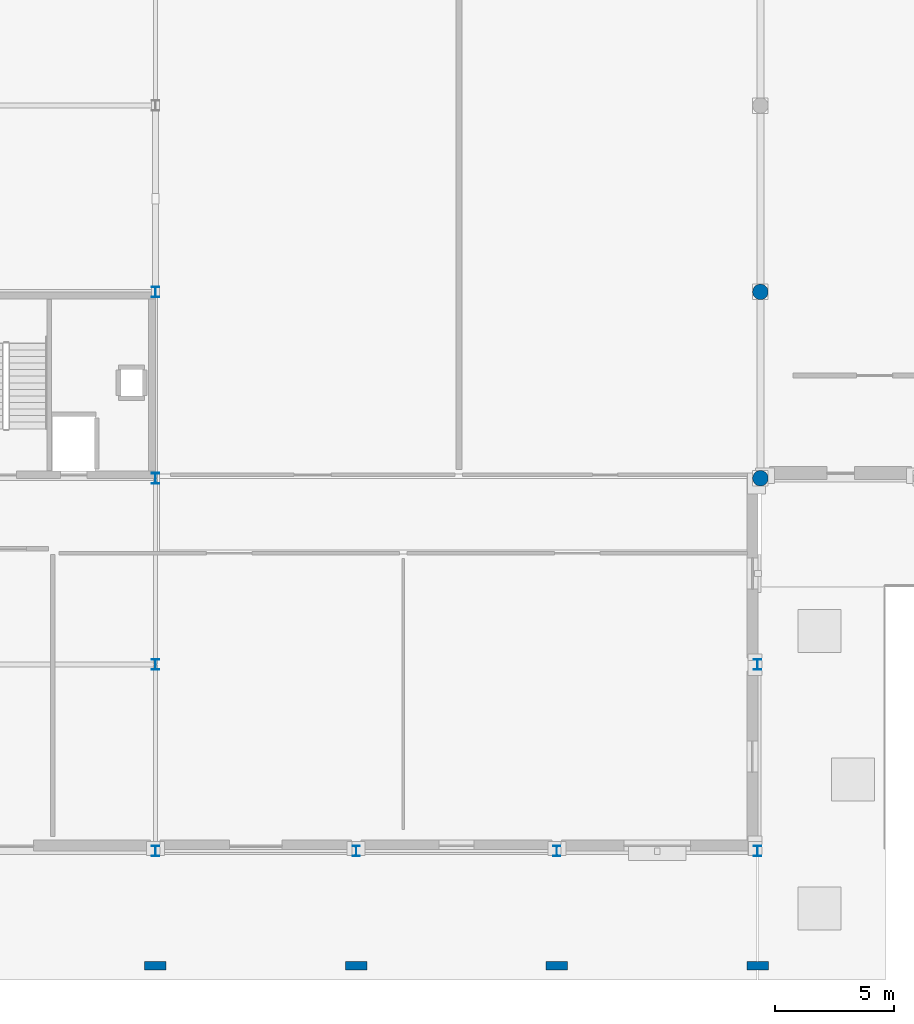
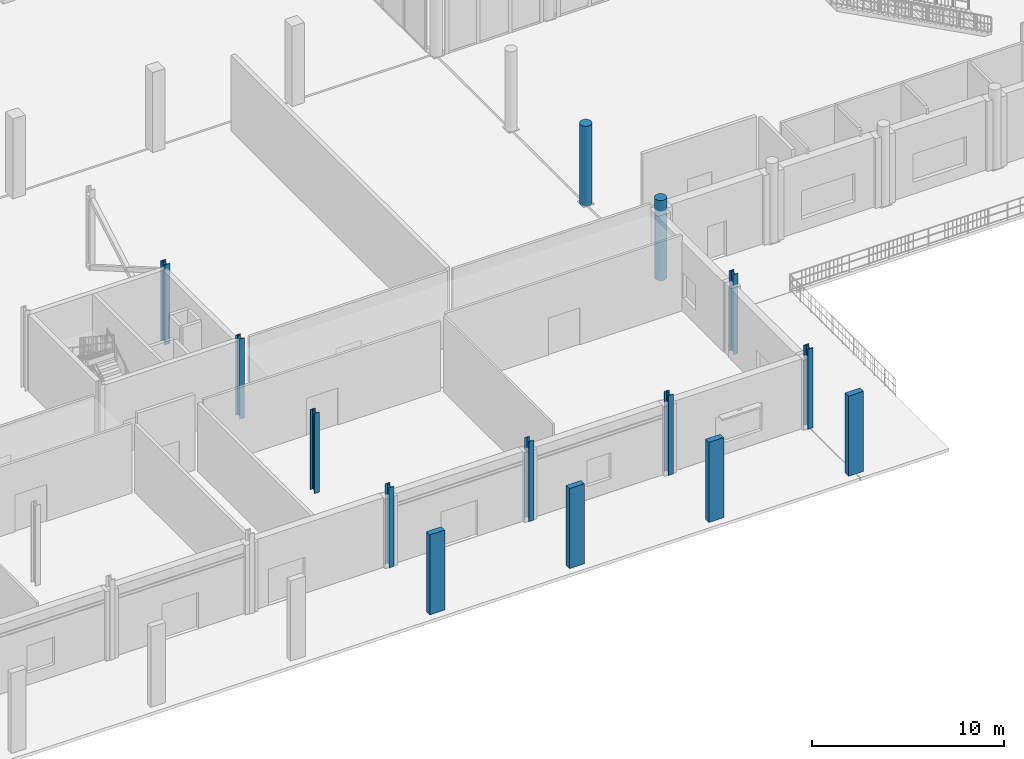
# One storey, part 3 of 80: 14 columns.
"""IFC4 building model written with IfcOpenShell, lengths in metres."""

from ifc_helpers import new_model, si_unit, direction, frame, origin, origin_2d, place, context, subcontext, project, spatial, rectangle, circle, i_section, extrude, material, material_profile, profile_set, type_object, element, save


model = new_model("IFC4")

# Units and contexts
model_context = context("Model", 3, precision=1e-05, world=origin(), true_north=direction((0.0, 1.0)))
body_context = subcontext(model_context, "Body", "Model", "MODEL_VIEW")
ifc_project = project(units=[si_unit("LENGTHUNIT", "METRE"), si_unit("AREAUNIT", "SQUARE_METRE"), si_unit("VOLUMEUNIT", "CUBIC_METRE"), si_unit("PLANEANGLEUNIT", "RADIAN"), si_unit("MASSUNIT", "GRAM", prefix="KILO")], contexts=[model_context])

# Site, building, storey
site_placement = place(None, origin())
site = spatial("IfcSite", under=ifc_project, at=site_placement, CompositionType="ELEMENT")
building_placement = place(site_placement, origin())
building = spatial("IfcBuilding", under=site, at=building_placement, Name="Nabrawat Pavilion Hospital", CompositionType="ELEMENT")
storey_placement = place(building_placement, origin())
storey = spatial("IfcBuildingStorey", under=building, at=storey_placement, Name="L00", CompositionType="ELEMENT", Elevation=0.0)

# Columns
ifc_material_1 = material(Name="Steel S355", Category="steel")
ifc_material_profile_1 = material_profile(ifc_material_1, i_section(OverallWidth=0.300048828125, OverallDepth=0.43994140625, WebThickness=0.011474609375, FlangeThickness=0.02099609375, FilletRadius=0.027099609375, at=origin_2d()), Name="HEA 450")
ifc_profile_set_1 = profile_set([ifc_material_profile_1], Name="Steel S355")
column_type_1 = type_object("IfcColumnType", Name="Emergency Wing Steel Column HEA 450", PredefinedType="COLUMN", material=ifc_profile_set_1)
for number, where, z_axis, x_axis, name in (
    (1, (33.60009765625, 0.0, 0.0), (0.0, 0.0, 1.0), (1.0, 0.0, 0.0), "L00 Structural Column G-5-A"),
    (2, (33.60009765625, 7.800048828125, 0.0), (0.0, 0.0, 1.0), (1.0, 0.0, 0.0), "L00 Structural Column G-5-B"),
    (3, (33.60009765625, 15.60009765625, 0.0), (0.0, 0.0, 1.0), (1.0, 0.0, 0.0), "L00 Structural Column G-5-C"),
    (4, (33.60009765625, 23.39990234375, 0.0), (0.0, 0.0, 1.0), (1.0, 0.0, 0.0), "L00 Structural Column G-5-D"),
    (5, (42.0, 0.0, 0.0), (0.0, 0.0, 1.0), (1.0, 0.0, 0.0), "L00 Structural Column G-6-A"),
    (6, (50.39990234375, 0.0, 0.0), (0.0, 0.0, 1.0), (1.0, 0.0, 0.0), "L00 Structural Column G-7-A"),
    (7, (58.800048828125, 0.0, 0.0), (0.0, 0.0, 1.0), (1.0, 0.0, 0.0), "L00 Structural Column G-8A-A"),
    (8, (58.800048828125, 7.800048828125, 0.0), (0.0, 0.0, 1.0), (1.0, 0.0, 0.0), "L00 Structural Column G-8A-B"),
):
    element("IfcColumn", number, at=place(storey_placement, frame(where, z_axis=z_axis, x_axis=x_axis)), inside=storey, type_object=column_type_1, Name=name, PredefinedType="COLUMN", context=body_context, shape_type="SweptSolid", body=[
        extrude(i_section(OverallWidth=0.300048828125, OverallDepth=0.43994140625, WebThickness=0.011474609375, FlangeThickness=0.02099609375, FilletRadius=0.027099609375, at=origin_2d()), origin(), (0.0, 0.0, 1.0), 5.10009765625),
    ])
ifc_material_2 = material(Name="Concrete C40/50", Category="concrete")
ifc_material_profile_2 = material_profile(ifc_material_2, circle(Radius=0.324951171875, at=origin_2d()), Name="RC D650")
ifc_profile_set_2 = profile_set([ifc_material_profile_2], Name="Concrete C40/50")
column_type_2 = type_object("IfcColumnType", Name="Expressed Pavilion Column D650", PredefinedType="COLUMN", material=ifc_profile_set_2)
for number, where, z_axis, x_axis, name in (
    (9, (58.919921875, 15.60009765625, 0.0), (0.0, 0.0, 1.0), (1.0, 0.0, 0.0), "L00 Expressed Pavilion Column MH-S00"),
    (10, (58.919921875, 23.39990234375, 0.0), (0.0, 0.0, 1.0), (1.0, 0.0, 0.0), "L00 Expressed Pavilion Column MH-W01"),
):
    element("IfcColumn", number, at=place(storey_placement, frame(where, z_axis=z_axis, x_axis=x_axis)), inside=storey, type_object=column_type_2, Name=name, PredefinedType="COLUMN", context=body_context, shape_type="SweptSolid", body=[
        extrude(circle(Radius=0.324951171875, at=origin_2d()), origin(), (0.0, 0.0, 1.0), 5.10009765625),
    ])
ifc_material_3 = material(Name="Precast concrete C40/50", Category="concrete")
ifc_material_profile_3 = material_profile(ifc_material_3, rectangle(XDim=0.35009765625, YDim=0.89990234375, at=origin_2d()), Name="PC 350x900")
ifc_profile_set_3 = profile_set([ifc_material_profile_3], Name="Precast concrete C40/50")
column_type_3 = type_object("IfcColumnType", Name="South Colonnade Precast Pilaster 350x900", PredefinedType="PILASTER", material=ifc_profile_set_3)
for number, where, z_axis, x_axis, name in (
    (11, (33.60009765625, -4.800048828125, 0.0), (0.0, 0.0, 1.0), (0.0, 1.0, 0.0), "L00 Colonnade Precast Pilaster PIL-S-5"),
    (12, (42.0, -4.800048828125, 0.0), (0.0, 0.0, 1.0), (0.0, 1.0, 0.0), "L00 Colonnade Precast Pilaster PIL-S-6"),
    (13, (50.39990234375, -4.800048828125, 0.0), (0.0, 0.0, 1.0), (0.0, 1.0, 0.0), "L00 Colonnade Precast Pilaster PIL-S-7"),
    (14, (58.800048828125, -4.800048828125, 0.0), (0.0, 0.0, 1.0), (0.0, 1.0, 0.0), "L00 Colonnade Precast Pilaster PIL-S-8A"),
):
    element("IfcColumn", number, at=place(storey_placement, frame(where, z_axis=z_axis, x_axis=x_axis)), inside=storey, type_object=column_type_3, Name=name, PredefinedType="PILASTER", context=body_context, shape_type="SweptSolid", body=[
        extrude(rectangle(XDim=0.35009765625, YDim=0.89990234375, at=origin_2d()), origin(), (0.0, 0.0, 1.0), 5.10009765625),
    ])

save(model, "model.ifc")
